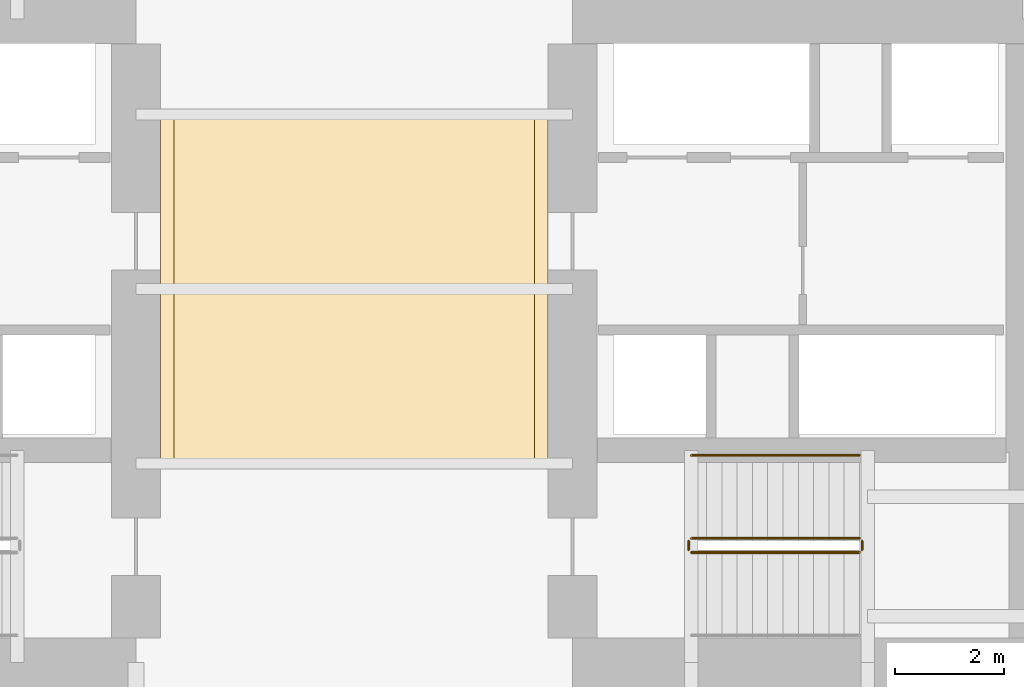
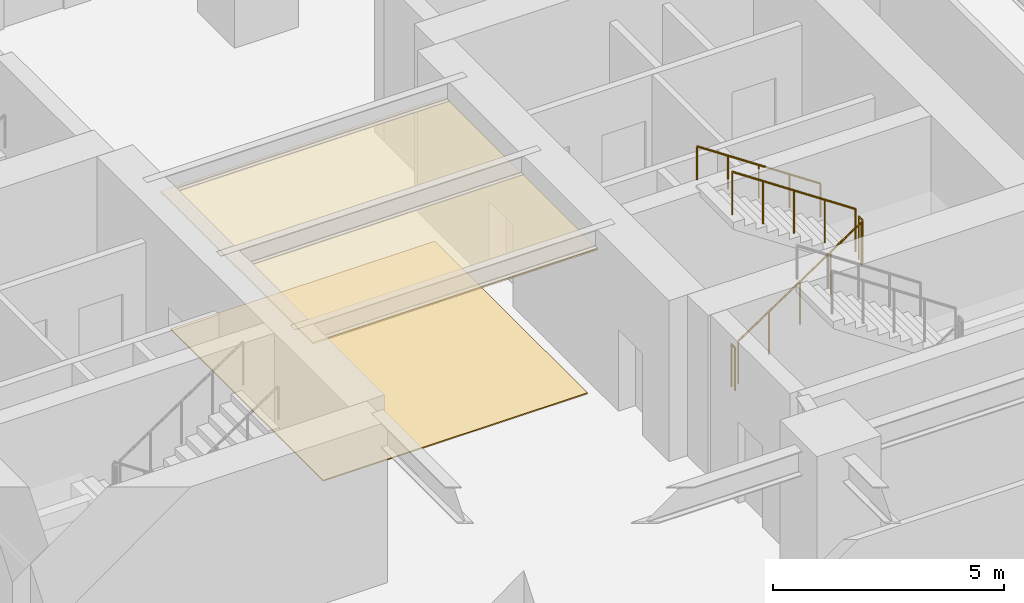
# One storey, part 23 of 24: 5 railings, 2 coverings.
"""IFC4 building model written with IfcOpenShell, lengths in metres."""

from ifc_helpers import new_model, si_unit, direction, frame, origin, origin_with_axes, origin_2d, place, context, subcontext, project, spatial, rectangle, circle, extrude, material, layer, layer_set, type_object, element, save


model = new_model("IFC4")

# Units and contexts
model_context = context("Model", 3, precision=1e-05, world=origin(), true_north=direction((0.0, 1.0)))
body_context = subcontext(model_context, "Body", "Model", "MODEL_VIEW")
ifc_project = project(units=[si_unit("LENGTHUNIT", "METRE"), si_unit("AREAUNIT", "SQUARE_METRE"), si_unit("VOLUMEUNIT", "CUBIC_METRE"), si_unit("PLANEANGLEUNIT", "RADIAN"), si_unit("MASSUNIT", "GRAM", prefix="KILO")], contexts=[model_context])

# Site, building, storey
site_placement = place(None, origin())
site = spatial("IfcSite", under=ifc_project, at=site_placement, CompositionType="ELEMENT")
building_placement = place(site_placement, origin())
building = spatial("IfcBuilding", under=site, at=building_placement, Name="Qingluan Cross Belvedere", CompositionType="ELEMENT")
storey_placement = place(building_placement, frame((0.0, 0.0, 14.699951171875)))
storey = spatial("IfcBuildingStorey", under=building, at=storey_placement, Name="L04", CompositionType="ELEMENT", Elevation=14.699951171875)

# Coverings
ifc_material_1 = material(Name="Perforated gypsum acoustic ceiling board")
ifc_layer_1 = layer(ifc_material_1, 0.0400390625, Name="AcousticLobbyCeiling_40")
ifc_layer_set_1 = layer_set([ifc_layer_1], Name="Perforated gypsum acoustic ceiling board")
covering_type_1 = type_object("IfcCoveringType", Name="AcousticLobbyCeiling_40", PredefinedType="CEILING", material=ifc_layer_set_1)
covering_1_placement = place(storey_placement, frame((0.0, 0.0, 3.7099609375), z_axis=(0.0, 0.0, 1.0), x_axis=(1.0, 0.0, 0.0)))
element("IfcCovering", 1, at=covering_1_placement, inside=storey, type_object=covering_type_1, Name="Central lobby acoustic ceiling L04", PredefinedType="CEILING", context=body_context, shape_type="SweptSolid", body=[
    extrude(rectangle(XDim=7.10009765625, YDim=6.60009765625, at=origin_2d()), origin(), (0.0, 0.0, 1.0), 0.0400390625),
])
ifc_material_2 = material(Name="Honed Hubei grey granite stone flooring", Category="masonry")
ifc_layer_2 = layer(ifc_material_2, 0.030029296875, Name="GraniteLobbyFlooring_30")
ifc_layer_set_2 = layer_set([ifc_layer_2], Name="Honed Hubei grey granite stone flooring")
covering_type_2 = type_object("IfcCoveringType", Name="GraniteLobbyFlooring_30", PredefinedType="FLOORING", material=ifc_layer_set_2)
covering_2_placement = place(storey_placement, origin_with_axes())
element("IfcCovering", 2, at=covering_2_placement, inside=storey, type_object=covering_type_2, Name="Central lobby granite flooring L04", PredefinedType="FLOORING", context=body_context, shape_type="SweptSolid", body=[
    extrude(rectangle(XDim=6.60009765625, YDim=6.60009765625, at=origin_2d()), origin(), (0.0, 0.0, 1.0), 0.030029296875),
])

# Railings
ifc_material_3 = material(Name="Brushed stainless steel tubular handrail", Category="steel")
railing_type_1 = type_object("IfcRailingType", Name="StairPitchHandrail_900", PredefinedType="HANDRAIL", material=ifc_material_3)
railing_1_placement = place(storey_placement, frame((9.260009765625, -3.050048828125, 2.4375)))
element("IfcRailing", 3, at=railing_1_placement, inside=storey, type_object=railing_type_1, Name="L04 ST2 stair handrail 2", PredefinedType="HANDRAIL", context=body_context, shape_type="SweptSolid", body=[
    extrude(circle(Radius=0.02392578125, at=origin_2d()), frame((0.0, 0.0, 0.8759765625), z_axis=(-0.830913701846, 0.0, 0.55640131208), x_axis=(0.0, -1.0, 0.0)), (0.0, 0.0, 1.0), 3.706787109375),
    extrude(circle(Radius=0.02099609375, at=origin_2d()), origin(), (0.0, 0.0, 1.0), 0.851806640625),
    extrude(circle(Radius=0.02099609375, at=origin_2d()), frame((-0.77001953125, 0.0, 0.515625)), (0.0, 0.0, 1.0), 0.851806640625),
    extrude(circle(Radius=0.02099609375, at=origin_2d()), frame((-1.5400390625, 0.0, 1.03125)), (0.0, 0.0, 1.0), 0.851806640625),
    extrude(circle(Radius=0.02099609375, at=origin_2d()), frame((-2.31005859375, 0.0, 1.546875)), (0.0, 0.0, 1.0), 0.851806640625),
    extrude(circle(Radius=0.02099609375, at=origin_2d()), frame((-3.080078125, 0.0, 2.0625)), (0.0, 0.0, 1.0), 0.851806640625),
])
ifc_material_4 = material(Name="Painted steel stair well guard", Category="steel")
railing_type_2 = type_object("IfcRailingType", Name="StairWellGuard_1150", PredefinedType="BALUSTRADE", material=ifc_material_4)
railing_2_placement = place(storey_placement, frame((6.179931640625, -4.830078125, 0.1875)))
element("IfcRailing", 4, at=railing_2_placement, inside=storey, type_object=railing_type_2, Name="L04 ST2 stair guard 1", PredefinedType="BALUSTRADE", context=body_context, shape_type="SweptSolid", body=[
    extrude(circle(Radius=0.02392578125, at=origin_2d()), frame((0.0, 0.0, 1.1259765625), z_axis=(0.830913701846, 0.0, 0.55640131208), x_axis=(0.0, 1.0, 0.0)), (0.0, 0.0, 1.0), 3.706787109375),
    extrude(circle(Radius=0.02099609375, at=origin_2d()), origin(), (0.0, 0.0, 1.0), 1.101806640625),
    extrude(circle(Radius=0.02099609375, at=origin_2d()), frame((0.77001953125, 0.0, 0.515625)), (0.0, 0.0, 1.0), 1.101806640625),
    extrude(circle(Radius=0.02099609375, at=origin_2d()), frame((1.5400390625, 0.0, 1.03125)), (0.0, 0.0, 1.0), 1.101806640625),
    extrude(circle(Radius=0.02099609375, at=origin_2d()), frame((2.31005859375, 0.0, 1.546875)), (0.0, 0.0, 1.0), 1.101806640625),
    extrude(circle(Radius=0.02099609375, at=origin_2d()), frame((3.080078125, 0.0, 2.0625)), (0.0, 0.0, 1.0), 1.101806640625),
])
railing_3_placement = place(storey_placement, frame((9.31005859375, -4.780029296875, 2.25)))
element("IfcRailing", 5, at=railing_3_placement, inside=storey, type_object=railing_type_2, Name="L04 ST2 stair guard 2", PredefinedType="BALUSTRADE", context=body_context, shape_type="SweptSolid", body=[
    extrude(circle(Radius=0.02392578125, at=origin_2d()), frame((0.0, 0.0, 1.1259765625), z_axis=(0.0, 1.0, 0.0), x_axis=(-1.0, 0.0, 0.0)), (0.0, 0.0, 1.0), 0.159912109375),
    extrude(circle(Radius=0.02099609375, at=origin_2d()), origin(), (0.0, 0.0, 1.0), 1.101806640625),
    extrude(circle(Radius=0.02099609375, at=origin_2d()), frame((0.0, 0.159912109375, 0.0)), (0.0, 0.0, 1.0), 1.101806640625),
])
railing_4_placement = place(storey_placement, frame((9.260009765625, -4.570068359375, 2.4375)))
element("IfcRailing", 6, at=railing_4_placement, inside=storey, type_object=railing_type_2, Name="L04 ST2 stair guard 3", PredefinedType="BALUSTRADE", context=body_context, shape_type="SweptSolid", body=[
    extrude(circle(Radius=0.02392578125, at=origin_2d()), frame((0.0, 0.0, 1.1259765625), z_axis=(-0.830913701846, 0.0, 0.55640131208), x_axis=(0.0, -1.0, 0.0)), (0.0, 0.0, 1.0), 3.706787109375),
    extrude(circle(Radius=0.02099609375, at=origin_2d()), origin(), (0.0, 0.0, 1.0), 1.101806640625),
    extrude(circle(Radius=0.02099609375, at=origin_2d()), frame((-0.77001953125, 0.0, 0.515625)), (0.0, 0.0, 1.0), 1.101806640625),
    extrude(circle(Radius=0.02099609375, at=origin_2d()), frame((-1.5400390625, 0.0, 1.03125)), (0.0, 0.0, 1.0), 1.101806640625),
    extrude(circle(Radius=0.02099609375, at=origin_2d()), frame((-2.31005859375, 0.0, 1.546875)), (0.0, 0.0, 1.0), 1.101806640625),
    extrude(circle(Radius=0.02099609375, at=origin_2d()), frame((-3.080078125, 0.0, 2.0625)), (0.0, 0.0, 1.0), 1.101806640625),
])
railing_5_placement = place(storey_placement, frame((6.1298828125, -4.780029296875, 0.0)))
element("IfcRailing", 7, at=railing_5_placement, inside=storey, type_object=railing_type_2, Name="L04 ST2 stair guard 4", PredefinedType="BALUSTRADE", context=body_context, shape_type="SweptSolid", body=[
    extrude(circle(Radius=0.02392578125, at=origin_2d()), frame((0.0, 0.0, 1.1259765625), z_axis=(0.0, 1.0, 0.0), x_axis=(-1.0, 0.0, 0.0)), (0.0, 0.0, 1.0), 0.159912109375),
    extrude(circle(Radius=0.02099609375, at=origin_2d()), origin(), (0.0, 0.0, 1.0), 1.101806640625),
    extrude(circle(Radius=0.02099609375, at=origin_2d()), frame((0.0, 0.159912109375, 0.0)), (0.0, 0.0, 1.0), 1.101806640625),
])

save(model, "model.ifc")
